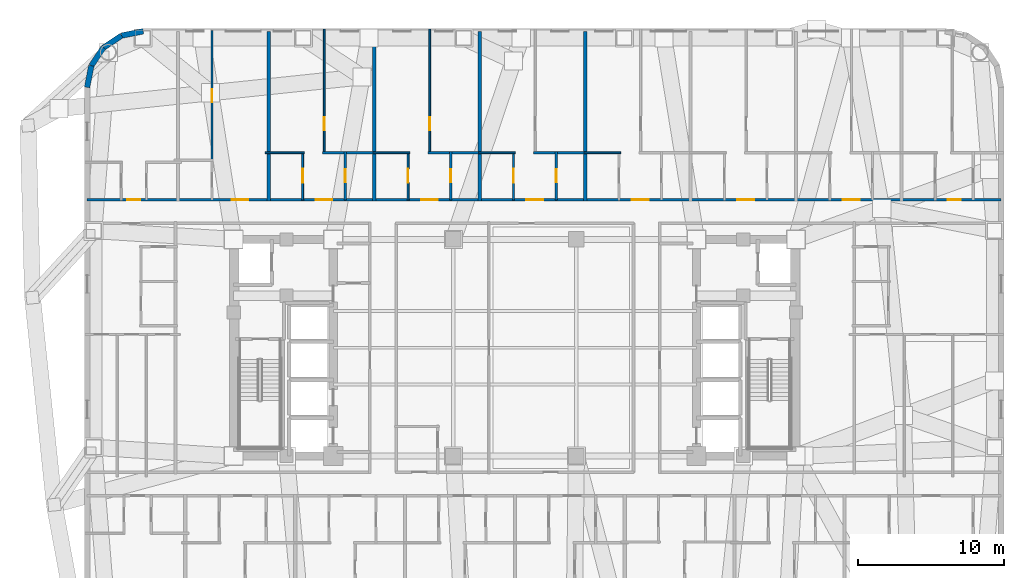
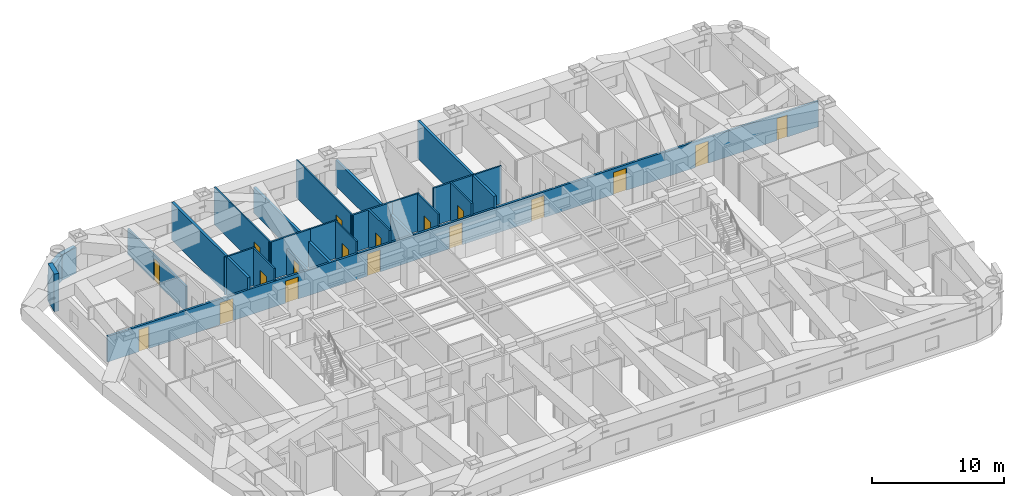
# One storey, part 9 of 14: 25 walls, 18 doors, 18 openings.
"""IFC4 building model written with IfcOpenShell, lengths in metres."""

from ifc_helpers import new_model, si_unit, direction, frame, frame_2d, origin, place, context, subcontext, project, spatial, rectangle, extrude, material, layer, layer_set, type_object, element, fill, save


model = new_model("IFC4")

# Units and contexts
model_context = context("Model", 3, precision=1e-05, world=origin(), true_north=direction((0.0, 1.0)))
body_context = subcontext(model_context, "Body", "Model", "MODEL_VIEW")
ifc_project = project(units=[si_unit("LENGTHUNIT", "METRE"), si_unit("AREAUNIT", "SQUARE_METRE"), si_unit("VOLUMEUNIT", "CUBIC_METRE"), si_unit("PLANEANGLEUNIT", "RADIAN"), si_unit("MASSUNIT", "GRAM", prefix="KILO")], contexts=[model_context])

# Site, building, storey
site_placement = place(None, origin())
site = spatial("IfcSite", under=ifc_project, at=site_placement, CompositionType="ELEMENT")
building_placement = place(site_placement, origin())
building = spatial("IfcBuilding", under=site, at=building_placement, Name="Voryun Gate Residences", CompositionType="ELEMENT")
storey_placement = place(building_placement, frame((0.0, 0.0, 136.5)))
storey = spatial("IfcBuildingStorey", under=building, at=storey_placement, Name="L33", CompositionType="ELEMENT", Elevation=136.5)

# Wall, openings, doors
ifc_material_1 = material(Name="Gypsum acoustic fireboard")
ifc_layer_1 = layer(ifc_material_1, 0.179931640625, Name="W_CORR_RATED_180")
ifc_layer_set_1 = layer_set([ifc_layer_1], Name="Gypsum acoustic fireboard")
wall_type_1 = type_object("IfcWallType", Name="W_CORR_RATED_180", PredefinedType="PARTITIONING", material=ifc_layer_set_1)
wall_1_placement = place(storey_placement, frame((-29.2099609375, 10.10009765625, 0.0), z_axis=(0.0, 0.0, 1.0), x_axis=(1.0, 0.0, 0.0)))
wall_1 = element("IfcWall", 1, at=wall_1_placement, inside=storey, type_object=wall_type_1, Name="Partition wall WP-L33-NCORR", PredefinedType="PARTITIONING", context=body_context, shape_type="SweptSolid", body=[
    extrude(rectangle(XDim=62.419921875, YDim=0.179931640625, at=frame_2d((31.2099609375, 0.0))), origin(), (0.0, 0.0, 1.0), 2.389892578125),
])
opening_1_placement = place(wall_1_placement, frame((2.73974609375, 0.0, 0.0)))
opening_1 = element("IfcOpeningElement", 2, at=opening_1_placement, cuts=wall_1, Name="Opening D-INT-2", PredefinedType="OPENING", context=body_context, shape_type="SweptSolid", body=[
    extrude(rectangle(XDim=0.89990234375, YDim=2.050048828125, at=frame_2d((0.449951171875, 1.02490234375))), frame((0.0, 0.099853515625, 0.0), z_axis=(0.0, -1.0, 0.0), x_axis=(1.0, 0.0, 0.0)), (0.0, 0.0, 1.0), 0.199951171875),
])
opening_2_placement = place(wall_1_placement, frame((9.867919921875, 0.0, 0.0)))
opening_2 = element("IfcOpeningElement", 3, at=opening_2_placement, cuts=wall_1, Name="Opening D-UNIT-1", PredefinedType="OPENING", context=body_context, shape_type="SweptSolid", body=[
    extrude(rectangle(XDim=1.14990234375, YDim=2.050048828125, at=frame_2d((0.574951171875, 1.02490234375))), frame((0.0, 0.099853515625, 0.0), z_axis=(0.0, -1.0, 0.0), x_axis=(1.0, 0.0, 0.0)), (0.0, 0.0, 1.0), 0.199951171875),
])
opening_3_placement = place(wall_1_placement, frame((15.597900390625, 0.0, 0.0)))
opening_3 = element("IfcOpeningElement", 4, at=opening_3_placement, cuts=wall_1, Name="Opening D-UNIT-1", PredefinedType="OPENING", context=body_context, shape_type="SweptSolid", body=[
    extrude(rectangle(XDim=1.14990234375, YDim=2.050048828125, at=frame_2d((0.574951171875, 1.02490234375))), frame((0.0, 0.099853515625, 0.0), z_axis=(0.0, -1.0, 0.0), x_axis=(1.0, 0.0, 0.0)), (0.0, 0.0, 1.0), 0.199951171875),
])
opening_4_placement = place(wall_1_placement, frame((22.80126953125, 0.0, 0.0)))
opening_4 = element("IfcOpeningElement", 5, at=opening_4_placement, cuts=wall_1, Name="Opening D-UNIT-1", PredefinedType="OPENING", context=body_context, shape_type="SweptSolid", body=[
    extrude(rectangle(XDim=1.14990234375, YDim=2.050048828125, at=frame_2d((0.574951171875, 1.02490234375))), frame((0.0, 0.099853515625, 0.0), z_axis=(0.0, -1.0, 0.0), x_axis=(1.0, 0.0, 0.0)), (0.0, 0.0, 1.0), 0.199951171875),
])
opening_5_placement = place(wall_1_placement, frame((29.998291015625, 0.0, 0.0)))
opening_5 = element("IfcOpeningElement", 6, at=opening_5_placement, cuts=wall_1, Name="Opening D-UNIT-1", PredefinedType="OPENING", context=body_context, shape_type="SweptSolid", body=[
    extrude(rectangle(XDim=1.14990234375, YDim=2.050048828125, at=frame_2d((0.574951171875, 1.02490234375))), frame((0.0, 0.099853515625, 0.0), z_axis=(0.0, -1.0, 0.0), x_axis=(1.0, 0.0, 0.0)), (0.0, 0.0, 1.0), 0.199951171875),
])
opening_6_placement = place(wall_1_placement, frame((37.20166015625, 0.0, 0.0)))
opening_6 = element("IfcOpeningElement", 7, at=opening_6_placement, cuts=wall_1, Name="Opening D-UNIT-1", PredefinedType="OPENING", context=body_context, shape_type="SweptSolid", body=[
    extrude(rectangle(XDim=1.14990234375, YDim=2.050048828125, at=frame_2d((0.574951171875, 1.02490234375))), frame((0.0, 0.099853515625, 0.0), z_axis=(0.0, -1.0, 0.0), x_axis=(1.0, 0.0, 0.0)), (0.0, 0.0, 1.0), 0.199951171875),
])
opening_7_placement = place(wall_1_placement, frame((44.398681640625, 0.0, 0.0)))
opening_7 = element("IfcOpeningElement", 8, at=opening_7_placement, cuts=wall_1, Name="Opening D-UNIT-1", PredefinedType="OPENING", context=body_context, shape_type="SweptSolid", body=[
    extrude(rectangle(XDim=1.14990234375, YDim=2.050048828125, at=frame_2d((0.574951171875, 1.02490234375))), frame((0.0, 0.099853515625, 0.0), z_axis=(0.0, -1.0, 0.0), x_axis=(1.0, 0.0, 0.0)), (0.0, 0.0, 1.0), 0.199951171875),
])
opening_8_placement = place(wall_1_placement, frame((51.601806640625, 0.0, 0.0)))
opening_8 = element("IfcOpeningElement", 9, at=opening_8_placement, cuts=wall_1, Name="Opening D-UNIT-1", PredefinedType="OPENING", context=body_context, shape_type="SweptSolid", body=[
    extrude(rectangle(XDim=1.14990234375, YDim=2.050048828125, at=frame_2d((0.574951171875, 1.02490234375))), frame((0.0, 0.099853515625, 0.0), z_axis=(0.0, -1.0, 0.0), x_axis=(1.0, 0.0, 0.0)), (0.0, 0.0, 1.0), 0.199951171875),
])
opening_9_placement = place(wall_1_placement, frame((58.76171875, 0.0, 0.0)))
opening_9 = element("IfcOpeningElement", 10, at=opening_9_placement, cuts=wall_1, Name="Opening D-INT-2", PredefinedType="OPENING", context=body_context, shape_type="SweptSolid", body=[
    extrude(rectangle(XDim=0.89990234375, YDim=2.050048828125, at=frame_2d((0.449951171875, 1.02490234375))), frame((0.0, 0.099853515625, 0.0), z_axis=(0.0, -1.0, 0.0), x_axis=(1.0, 0.0, 0.0)), (0.0, 0.0, 1.0), 0.199951171875),
])
ifc_material_2 = material(Name="Architectural oak veneer")
door_type_1 = type_object("IfcDoorType", Name="DR_INT_BATH_900", OperationType="NOTDEFINED", PredefinedType="DOOR", material=ifc_material_2)
door_1_placement = place(opening_1_placement, origin())
door_1 = element("IfcDoor", 11, at=door_1_placement, inside=storey, type_object=door_type_1, Name="Door DR-L33-NENT-1", OperationType="SINGLE_SWING_LEFT", OverallHeight=2.050048828125, OverallWidth=0.89990234375, PredefinedType="DOOR", context=body_context, shape_type="SweptSolid", body=[
    extrude(rectangle(XDim=0.89990234375, YDim=2.050048828125, at=frame_2d((0.449951171875, 1.02490234375))), frame((0.0, 0.02490234375, 0.0), z_axis=(0.0, -1.0, 0.0), x_axis=(1.0, 0.0, 0.0)), (0.0, 0.0, 1.0), 0.050048828125),
])
fill(opening_1, door_1)
door_2_placement = place(opening_9_placement, origin())
door_2 = element("IfcDoor", 12, at=door_2_placement, inside=storey, type_object=door_type_1, Name="Door DR-L33-NENT-9", OperationType="SINGLE_SWING_LEFT", OverallHeight=2.050048828125, OverallWidth=0.89990234375, PredefinedType="DOOR", context=body_context, shape_type="SweptSolid", body=[
    extrude(rectangle(XDim=0.89990234375, YDim=2.050048828125, at=frame_2d((0.449951171875, 1.02490234375))), frame((0.0, 0.02490234375, 0.0), z_axis=(0.0, -1.0, 0.0), x_axis=(1.0, 0.0, 0.0)), (0.0, 0.0, 1.0), 0.050048828125),
])
fill(opening_9, door_2)
ifc_material_3 = material(Name="Armoured timber-clad fire door", Category="wood")
door_type_2 = type_object("IfcDoorType", Name="DR_UNIT_ENTRY_1150", OperationType="NOTDEFINED", PredefinedType="DOOR", material=ifc_material_3)
door_3_placement = place(opening_2_placement, origin())
door_3 = element("IfcDoor", 13, at=door_3_placement, inside=storey, type_object=door_type_2, Name="Door DR-L33-NENT-2", OperationType="SINGLE_SWING_RIGHT", OverallHeight=2.050048828125, OverallWidth=1.14990234375, PredefinedType="DOOR", context=body_context, shape_type="SweptSolid", body=[
    extrude(rectangle(XDim=1.14990234375, YDim=2.050048828125, at=frame_2d((0.574951171875, 1.02490234375))), frame((0.0, 0.02490234375, 0.0), z_axis=(0.0, -1.0, 0.0), x_axis=(1.0, 0.0, 0.0)), (0.0, 0.0, 1.0), 0.050048828125),
])
fill(opening_2, door_3)
door_4_placement = place(opening_3_placement, origin())
door_4 = element("IfcDoor", 14, at=door_4_placement, inside=storey, type_object=door_type_2, Name="Door DR-L33-NENT-3", OperationType="SINGLE_SWING_LEFT", OverallHeight=2.050048828125, OverallWidth=1.14990234375, PredefinedType="DOOR", context=body_context, shape_type="SweptSolid", body=[
    extrude(rectangle(XDim=1.14990234375, YDim=2.050048828125, at=frame_2d((0.574951171875, 1.02490234375))), frame((0.0, 0.02490234375, 0.0), z_axis=(0.0, -1.0, 0.0), x_axis=(1.0, 0.0, 0.0)), (0.0, 0.0, 1.0), 0.050048828125),
])
fill(opening_3, door_4)
door_5_placement = place(opening_4_placement, origin())
door_5 = element("IfcDoor", 15, at=door_5_placement, inside=storey, type_object=door_type_2, Name="Door DR-L33-NENT-4", OperationType="SINGLE_SWING_RIGHT", OverallHeight=2.050048828125, OverallWidth=1.14990234375, PredefinedType="DOOR", context=body_context, shape_type="SweptSolid", body=[
    extrude(rectangle(XDim=1.14990234375, YDim=2.050048828125, at=frame_2d((0.574951171875, 1.02490234375))), frame((0.0, 0.02490234375, 0.0), z_axis=(0.0, -1.0, 0.0), x_axis=(1.0, 0.0, 0.0)), (0.0, 0.0, 1.0), 0.050048828125),
])
fill(opening_4, door_5)
door_6_placement = place(opening_5_placement, origin())
door_6 = element("IfcDoor", 16, at=door_6_placement, inside=storey, type_object=door_type_2, Name="Door DR-L33-NENT-5", OperationType="SINGLE_SWING_LEFT", OverallHeight=2.050048828125, OverallWidth=1.14990234375, PredefinedType="DOOR", context=body_context, shape_type="SweptSolid", body=[
    extrude(rectangle(XDim=1.14990234375, YDim=2.050048828125, at=frame_2d((0.574951171875, 1.02490234375))), frame((0.0, 0.02490234375, 0.0), z_axis=(0.0, -1.0, 0.0), x_axis=(1.0, 0.0, 0.0)), (0.0, 0.0, 1.0), 0.050048828125),
])
fill(opening_5, door_6)
door_7_placement = place(opening_6_placement, origin())
door_7 = element("IfcDoor", 17, at=door_7_placement, inside=storey, type_object=door_type_2, Name="Door DR-L33-NENT-6", OperationType="SINGLE_SWING_RIGHT", OverallHeight=2.050048828125, OverallWidth=1.14990234375, PredefinedType="DOOR", context=body_context, shape_type="SweptSolid", body=[
    extrude(rectangle(XDim=1.14990234375, YDim=2.050048828125, at=frame_2d((0.574951171875, 1.02490234375))), frame((0.0, 0.02490234375, 0.0), z_axis=(0.0, -1.0, 0.0), x_axis=(1.0, 0.0, 0.0)), (0.0, 0.0, 1.0), 0.050048828125),
])
fill(opening_6, door_7)
door_8_placement = place(opening_7_placement, origin())
door_8 = element("IfcDoor", 18, at=door_8_placement, inside=storey, type_object=door_type_2, Name="Door DR-L33-NENT-7", OperationType="SINGLE_SWING_LEFT", OverallHeight=2.050048828125, OverallWidth=1.14990234375, PredefinedType="DOOR", context=body_context, shape_type="SweptSolid", body=[
    extrude(rectangle(XDim=1.14990234375, YDim=2.050048828125, at=frame_2d((0.574951171875, 1.02490234375))), frame((0.0, 0.02490234375, 0.0), z_axis=(0.0, -1.0, 0.0), x_axis=(1.0, 0.0, 0.0)), (0.0, 0.0, 1.0), 0.050048828125),
])
fill(opening_7, door_8)
door_9_placement = place(opening_8_placement, origin())
door_9 = element("IfcDoor", 19, at=door_9_placement, inside=storey, type_object=door_type_2, Name="Door DR-L33-NENT-8", OperationType="SINGLE_SWING_RIGHT", OverallHeight=2.050048828125, OverallWidth=1.14990234375, PredefinedType="DOOR", context=body_context, shape_type="SweptSolid", body=[
    extrude(rectangle(XDim=1.14990234375, YDim=2.050048828125, at=frame_2d((0.574951171875, 1.02490234375))), frame((0.0, 0.02490234375, 0.0), z_axis=(0.0, -1.0, 0.0), x_axis=(1.0, 0.0, 0.0)), (0.0, 0.0, 1.0), 0.050048828125),
])
fill(opening_8, door_9)

# Walls
ifc_material_4 = material(Name="Granite masonry", Category="masonry")
ifc_layer_2 = layer(ifc_material_4, 0.3798828125, Name="W_EXT_GRANITE_380")
ifc_layer_set_2 = layer_set([ifc_layer_2], Name="Granite masonry")
wall_type_2 = type_object("IfcWallType", Name="W_EXT_GRANITE_380", PredefinedType="ELEMENTEDWALL", material=ifc_layer_set_2)
wall_2_placement = place(storey_placement, frame((-29.2099609375, 17.78125, 0.0), z_axis=(0.0, 0.0, 1.0), x_axis=(0.195086038585, 0.980786132421, 0.0)))
element("IfcWall", 20, at=wall_2_placement, inside=storey, type_object=wall_type_2, Name="Exterior wall WEXT-L33-07", PredefinedType="ELEMENTEDWALL", context=body_context, shape_type="SweptSolid", body=[
    extrude(rectangle(XDim=1.504150390625, YDim=0.3798828125, at=frame_2d((0.751953125, 0.0))), origin(), (0.0, 0.0, 1.0), 3.5),
])
wall_3_placement = place(storey_placement, frame((-28.91650390625, 19.256591796875, 0.0), z_axis=(0.0, 0.0, 1.0), x_axis=(0.555610286119, 0.831442848281, 0.0)))
element("IfcWall", 21, at=wall_3_placement, inside=storey, type_object=wall_type_2, Name="Exterior wall WEXT-L33-08", PredefinedType="ELEMENTEDWALL", context=body_context, shape_type="SweptSolid", body=[
    extrude(rectangle(XDim=1.485107421875, YDim=0.3798828125, at=frame_2d((0.74267578125, 0.0))), origin(), (0.0, 0.0, 1.0), 2.389892578125),
])
wall_4_placement = place(storey_placement, frame((-28.09130859375, 20.491455078125, 0.0), z_axis=(0.0, 0.0, 1.0), x_axis=(0.831468045563, 0.555572577804, 0.0)))
element("IfcWall", 22, at=wall_4_placement, inside=storey, type_object=wall_type_2, Name="Exterior wall WEXT-L33-09", PredefinedType="ELEMENTEDWALL", context=body_context, shape_type="SweptSolid", body=[
    extrude(rectangle(XDim=1.48486328125, YDim=0.3798828125, at=frame_2d((0.742431640625, 0.0))), origin(), (0.0, 0.0, 1.0), 2.389892578125),
])
wall_5_placement = place(storey_placement, frame((-26.856689453125, 21.31640625, 0.0), z_axis=(0.0, 0.0, 1.0), x_axis=(0.980755066645, 0.195242155415, 0.0)))
element("IfcWall", 23, at=wall_5_placement, inside=storey, type_object=wall_type_2, Name="Exterior wall WEXT-L33-10", PredefinedType="ELEMENTEDWALL", context=body_context, shape_type="SweptSolid", body=[
    extrude(rectangle(XDim=1.50439453125, YDim=0.3798828125, at=frame_2d((0.752197265625, 0.0))), origin(), (0.0, 0.0, 1.0), 2.389892578125),
])
ifc_material_5 = material(Name="Concrete C40/50", Category="concrete")
ifc_layer_3 = layer(ifc_material_5, 0.219970703125, Name="W_PARTY_ACOUSTIC_220")
ifc_layer_set_3 = layer_set([ifc_layer_3], Name="Concrete C40/50")
wall_type_3 = type_object("IfcWallType", Name="W_PARTY_ACOUSTIC_220", PredefinedType="PARTITIONING", material=ifc_layer_set_3)
wall_6_placement = place(storey_placement, frame((-16.800048828125, 10.02001953125, 0.0), z_axis=(0.0, 0.0, 1.0), x_axis=(0.0, 1.0, 0.0)))
element("IfcWall", 24, at=wall_6_placement, inside=storey, type_object=wall_type_3, Name="Partition wall WP-L33-NPTY-2", PredefinedType="PARTITIONING", context=body_context, shape_type="SweptSolid", body=[
    extrude(rectangle(XDim=11.590087890625, YDim=0.219970703125, at=frame_2d((5.794921875, 0.0))), origin(), (0.0, 0.0, 1.0), 3.5),
])
for number, where, z_axis, x_axis, name in (
    (25, (-9.60009765625, 10.02001953125, 0.0), (0.0, 0.0, 1.0), (0.0, 1.0, 0.0), "Partition wall WP-L33-NPTY-3"),
    (26, (-2.39990234375, 10.02001953125, 0.0), (0.0, 0.0, 1.0), (0.0, 1.0, 0.0), "Partition wall WP-L33-NPTY-4"),
):
    element("IfcWall", number, at=place(storey_placement, frame(where, z_axis=z_axis, x_axis=x_axis)), inside=storey, type_object=wall_type_3, Name=name, PredefinedType="PARTITIONING", context=body_context, shape_type="SweptSolid", body=[
        extrude(rectangle(XDim=11.590087890625, YDim=0.219970703125, at=frame_2d((5.794921875, 0.0))), origin(), (0.0, 0.0, 1.0), 2.389892578125),
    ])
wall_7_placement = place(storey_placement, frame((4.800048828125, 10.02001953125, 0.0), z_axis=(0.0, 0.0, 1.0), x_axis=(0.0, 1.0, 0.0)))
element("IfcWall", 27, at=wall_7_placement, inside=storey, type_object=wall_type_3, Name="Partition wall WP-L33-NPTY-5", PredefinedType="PARTITIONING", context=body_context, shape_type="SweptSolid", body=[
    extrude(rectangle(XDim=11.590087890625, YDim=0.219970703125, at=frame_2d((5.794921875, 0.0))), origin(), (0.0, 0.0, 1.0), 3.5),
])

# Wall, opening, door
ifc_material_6 = material(Name="Gypsum acoustic partition")
ifc_layer_4 = layer(ifc_material_6, 0.125, Name="W_UNIT_PART_125")
ifc_layer_set_4 = layer_set([ifc_layer_4], Name="Gypsum acoustic partition")
wall_type_4 = type_object("IfcWallType", Name="W_UNIT_PART_125", PredefinedType="PARTITIONING", material=ifc_layer_set_4)
wall_8_placement = place(storey_placement, frame((-13.010009765625, 13.239990234375, 0.0), z_axis=(0.0, 0.0, 1.0), x_axis=(0.0, 1.0, 0.0)))
wall_8 = element("IfcWall", 28, at=wall_8_placement, inside=storey, type_object=wall_type_4, Name="Partition wall WP-L33-N3-OVR", PredefinedType="PARTITIONING", context=body_context, shape_type="SweptSolid", body=[
    extrude(rectangle(XDim=8.52001953125, YDim=0.125, at=frame_2d((4.260009765625, 0.0))), origin(), (0.0, 0.0, 1.0), 3.5),
])
opening_10_placement = place(wall_8_placement, frame((1.5947265625, 0.0, 0.0)))
opening_10 = element("IfcOpeningElement", 29, at=opening_10_placement, cuts=wall_8, Name="Opening D-INT-2", PredefinedType="OPENING", context=body_context, shape_type="SweptSolid", body=[
    extrude(rectangle(XDim=0.89990234375, YDim=2.050048828125, at=frame_2d((0.449951171875, 1.02490234375))), frame((0.0, 0.072509765625, 0.0), z_axis=(0.0, -1.0, 0.0), x_axis=(1.0, 0.0, 0.0)), (0.0, 0.0, 1.0), 0.14501953125),
])
door_10_placement = place(opening_10_placement, origin())
door_10 = element("IfcDoor", 30, at=door_10_placement, inside=storey, type_object=door_type_1, Name="Door DR-L33-N3-DMB", OperationType="SINGLE_SWING_RIGHT", OverallHeight=2.050048828125, OverallWidth=0.89990234375, PredefinedType="DOOR", context=body_context, shape_type="SweptSolid", body=[
    extrude(rectangle(XDim=0.89990234375, YDim=2.050048828125, at=frame_2d((0.449951171875, 1.02490234375))), frame((0.0, 0.02490234375, 0.0), z_axis=(0.0, -1.0, 0.0), x_axis=(1.0, 0.0, 0.0)), (0.0, 0.0, 1.0), 0.050048828125),
])
fill(opening_10, door_10)

wall_9_placement = place(storey_placement, frame((-14.489990234375, 10.080078125, 0.0), z_axis=(0.0, 0.0, 1.0), x_axis=(0.0, 1.0, 0.0)))
wall_9 = element("IfcWall", 31, at=wall_9_placement, inside=storey, type_object=wall_type_4, Name="Partition wall WP-L33-N3-IVK", PredefinedType="PARTITIONING", context=body_context, shape_type="SweptSolid", body=[
    extrude(rectangle(XDim=3.31982421875, YDim=0.125, at=frame_2d((1.659912109375, 0.0))), origin(), (0.0, 0.0, 1.0), 3.5),
])
opening_11_placement = place(wall_9_placement, frame((1.18505859375, 0.0, 0.0)))
opening_11 = element("IfcOpeningElement", 32, at=opening_11_placement, cuts=wall_9, Name="Opening D-INT-1", PredefinedType="OPENING", context=body_context, shape_type="SweptSolid", body=[
    extrude(rectangle(XDim=0.949951171875, YDim=2.050048828125, at=frame_2d((0.47509765625, 1.02490234375))), frame((0.0, 0.072509765625, 0.0), z_axis=(0.0, -1.0, 0.0), x_axis=(1.0, 0.0, 0.0)), (0.0, 0.0, 1.0), 0.14501953125),
])
ifc_material_7 = material(Name="Architectural oak veneer")
door_type_3 = type_object("IfcDoorType", Name="DR_INT_ROOM_950", OperationType="NOTDEFINED", PredefinedType="DOOR", material=ifc_material_7)
door_11_placement = place(opening_11_placement, origin())
door_11 = element("IfcDoor", 33, at=door_11_placement, inside=storey, type_object=door_type_3, Name="Door DR-L33-N3-DK", OperationType="SINGLE_SWING_LEFT", OverallHeight=2.050048828125, OverallWidth=0.949951171875, PredefinedType="DOOR", context=body_context, shape_type="SweptSolid", body=[
    extrude(rectangle(XDim=0.949951171875, YDim=2.050048828125, at=frame_2d((0.47509765625, 1.02490234375))), frame((0.0, 0.02490234375, 0.0), z_axis=(0.0, -1.0, 0.0), x_axis=(1.0, 0.0, 0.0)), (0.0, 0.0, 1.0), 0.050048828125),
])
fill(opening_11, door_11)

# Wall
wall_10_placement = place(storey_placement, frame((-17.06005859375, 13.320068359375, 0.0), z_axis=(0.0, 0.0, 1.0), x_axis=(1.0, 0.0, 0.0)))
element("IfcWall", 34, at=wall_10_placement, inside=storey, type_object=wall_type_4, Name="Partition wall WP-L33-N3-HZK", PredefinedType="PARTITIONING", context=body_context, shape_type="SweptSolid", body=[
    extrude(rectangle(XDim=2.68994140625, YDim=0.125, at=frame_2d((1.344970703125, 0.0))), origin(), (0.0, 0.0, 1.0), 3.5),
])

# Wall, opening, door
wall_11_placement = place(storey_placement, frame((-5.81005859375, 13.239990234375, 0.0), z_axis=(0.0, 0.0, 1.0), x_axis=(0.0, 1.0, 0.0)))
wall_11 = element("IfcWall", 35, at=wall_11_placement, inside=storey, type_object=wall_type_4, Name="Partition wall WP-L33-N4-OVR", PredefinedType="PARTITIONING", context=body_context, shape_type="SweptSolid", body=[
    extrude(rectangle(XDim=8.52001953125, YDim=0.125, at=frame_2d((4.260009765625, 0.0))), origin(), (0.0, 0.0, 1.0), 3.5),
])
opening_12_placement = place(wall_11_placement, frame((1.5947265625, 0.0, 0.0)))
opening_12 = element("IfcOpeningElement", 36, at=opening_12_placement, cuts=wall_11, Name="Opening D-INT-2", PredefinedType="OPENING", context=body_context, shape_type="SweptSolid", body=[
    extrude(rectangle(XDim=0.89990234375, YDim=2.050048828125, at=frame_2d((0.449951171875, 1.02490234375))), frame((0.0, 0.072509765625, 0.0), z_axis=(0.0, -1.0, 0.0), x_axis=(1.0, 0.0, 0.0)), (0.0, 0.0, 1.0), 0.14501953125),
])
door_12_placement = place(opening_12_placement, origin())
door_12 = element("IfcDoor", 37, at=door_12_placement, inside=storey, type_object=door_type_1, Name="Door DR-L33-N4-DMB", OperationType="SINGLE_SWING_RIGHT", OverallHeight=2.050048828125, OverallWidth=0.89990234375, PredefinedType="DOOR", context=body_context, shape_type="SweptSolid", body=[
    extrude(rectangle(XDim=0.89990234375, YDim=2.050048828125, at=frame_2d((0.449951171875, 1.02490234375))), frame((0.0, 0.02490234375, 0.0), z_axis=(0.0, -1.0, 0.0), x_axis=(1.0, 0.0, 0.0)), (0.0, 0.0, 1.0), 0.050048828125),
])
fill(opening_12, door_12)

wall_12_placement = place(storey_placement, frame((-7.2900390625, 10.080078125, 0.0), z_axis=(0.0, 0.0, 1.0), x_axis=(0.0, 1.0, 0.0)))
wall_12 = element("IfcWall", 38, at=wall_12_placement, inside=storey, type_object=wall_type_4, Name="Partition wall WP-L33-N4-IVK", PredefinedType="PARTITIONING", context=body_context, shape_type="SweptSolid", body=[
    extrude(rectangle(XDim=3.31982421875, YDim=0.125, at=frame_2d((1.659912109375, 0.0))), origin(), (0.0, 0.0, 1.0), 3.5),
])
opening_13_placement = place(wall_12_placement, frame((1.18505859375, 0.0, 0.0)))
opening_13 = element("IfcOpeningElement", 39, at=opening_13_placement, cuts=wall_12, Name="Opening D-INT-1", PredefinedType="OPENING", context=body_context, shape_type="SweptSolid", body=[
    extrude(rectangle(XDim=0.949951171875, YDim=2.050048828125, at=frame_2d((0.47509765625, 1.02490234375))), frame((0.0, 0.072509765625, 0.0), z_axis=(0.0, -1.0, 0.0), x_axis=(1.0, 0.0, 0.0)), (0.0, 0.0, 1.0), 0.14501953125),
])
door_13_placement = place(opening_13_placement, origin())
door_13 = element("IfcDoor", 40, at=door_13_placement, inside=storey, type_object=door_type_3, Name="Door DR-L33-N4-DK", OperationType="SINGLE_SWING_LEFT", OverallHeight=2.050048828125, OverallWidth=0.949951171875, PredefinedType="DOOR", context=body_context, shape_type="SweptSolid", body=[
    extrude(rectangle(XDim=0.949951171875, YDim=2.050048828125, at=frame_2d((0.47509765625, 1.02490234375))), frame((0.0, 0.02490234375, 0.0), z_axis=(0.0, -1.0, 0.0), x_axis=(1.0, 0.0, 0.0)), (0.0, 0.0, 1.0), 0.050048828125),
])
fill(opening_13, door_13)

# Wall
wall_13_placement = place(storey_placement, frame((-9.675048828125, 13.320068359375, 0.0), z_axis=(0.0, 0.0, 1.0), x_axis=(1.0, 0.0, 0.0)))
element("IfcWall", 41, at=wall_13_placement, inside=storey, type_object=wall_type_4, Name="Partition wall WP-L33-N4-HZK", PredefinedType="PARTITIONING", context=body_context, shape_type="SweptSolid", body=[
    extrude(rectangle(XDim=2.505126953125, YDim=0.125, at=frame_2d((1.25244140625, 0.0))), origin(), (0.0, 0.0, 1.0), 3.5),
])

# Wall, opening, door
wall_14_placement = place(storey_placement, frame((-0.090087890625, 10.080078125, 0.0), z_axis=(0.0, 0.0, 1.0), x_axis=(0.0, 1.0, 0.0)))
wall_14 = element("IfcWall", 42, at=wall_14_placement, inside=storey, type_object=wall_type_4, Name="Partition wall WP-L33-N5-IVK", PredefinedType="PARTITIONING", context=body_context, shape_type="SweptSolid", body=[
    extrude(rectangle(XDim=3.31982421875, YDim=0.125, at=frame_2d((1.659912109375, 0.0))), origin(), (0.0, 0.0, 1.0), 3.5),
])
opening_14_placement = place(wall_14_placement, frame((1.18505859375, 0.0, 0.0)))
opening_14 = element("IfcOpeningElement", 43, at=opening_14_placement, cuts=wall_14, Name="Opening D-INT-1", PredefinedType="OPENING", context=body_context, shape_type="SweptSolid", body=[
    extrude(rectangle(XDim=0.949951171875, YDim=2.050048828125, at=frame_2d((0.47509765625, 1.02490234375))), frame((0.0, 0.072509765625, 0.0), z_axis=(0.0, -1.0, 0.0), x_axis=(1.0, 0.0, 0.0)), (0.0, 0.0, 1.0), 0.14501953125),
])
door_14_placement = place(opening_14_placement, origin())
door_14 = element("IfcDoor", 44, at=door_14_placement, inside=storey, type_object=door_type_3, Name="Door DR-L33-N5-DK", OperationType="SINGLE_SWING_LEFT", OverallHeight=2.050048828125, OverallWidth=0.949951171875, PredefinedType="DOOR", context=body_context, shape_type="SweptSolid", body=[
    extrude(rectangle(XDim=0.949951171875, YDim=2.050048828125, at=frame_2d((0.47509765625, 1.02490234375))), frame((0.0, 0.02490234375, 0.0), z_axis=(0.0, -1.0, 0.0), x_axis=(1.0, 0.0, 0.0)), (0.0, 0.0, 1.0), 0.050048828125),
])
fill(opening_14, door_14)

# Walls
wall_15_placement = place(storey_placement, frame((-2.47509765625, 13.320068359375, 0.0), z_axis=(0.0, 0.0, 1.0), x_axis=(1.0, 0.0, 0.0)))
element("IfcWall", 45, at=wall_15_placement, inside=storey, type_object=wall_type_4, Name="Partition wall WP-L33-N5-HZK", PredefinedType="PARTITIONING", context=body_context, shape_type="SweptSolid", body=[
    extrude(rectangle(XDim=2.505126953125, YDim=0.125, at=frame_2d((1.25244140625, 0.0))), origin(), (0.0, 0.0, 1.0), 3.5),
])
wall_16_placement = place(storey_placement, frame((4.72509765625, 13.320068359375, 0.0), z_axis=(0.0, 0.0, 1.0), x_axis=(1.0, 0.0, 0.0)))
element("IfcWall", 46, at=wall_16_placement, inside=storey, type_object=wall_type_4, Name="Partition wall WP-L33-N6-HZK", PredefinedType="PARTITIONING", context=body_context, shape_type="SweptSolid", body=[
    extrude(rectangle(XDim=2.5048828125, YDim=0.125, at=frame_2d((1.25244140625, 0.0))), origin(), (0.0, 0.0, 1.0), 3.5),
])

# Wall, opening, door
ifc_material_8 = material(Name="Gypsum moisture-resistant partition")
ifc_layer_5 = layer(ifc_material_8, 0.14990234375, Name="W_WET_PLUMB_150")
ifc_layer_set_5 = layer_set([ifc_layer_5], Name="Gypsum moisture-resistant partition")
wall_type_5 = type_object("IfcWallType", Name="W_WET_PLUMB_150", PredefinedType="PLUMBINGWALL", material=ifc_layer_set_5)
wall_17_placement = place(storey_placement, frame((-20.677978515625, 12.760009765625, 0.0), z_axis=(0.0, 0.0, 1.0), x_axis=(0.0, 1.0, 0.0)))
wall_17 = element("IfcWall", 47, at=wall_17_placement, inside=storey, type_object=wall_type_5, Name="Partition wall WP-L33-N2-SVT2", PredefinedType="PLUMBINGWALL", context=body_context, shape_type="SweptSolid", body=[
    extrude(rectangle(XDim=8.897705078125, YDim=0.14990234375, at=frame_2d((4.44873046875, 0.0))), origin(), (0.0, 0.0, 1.0), 2.389892578125),
])
opening_15_placement = place(wall_17_placement, frame((3.998779296875, 0.0, 0.0)))
opening_15 = element("IfcOpeningElement", 48, at=opening_15_placement, cuts=wall_17, Name="Opening D-INT-2", PredefinedType="OPENING", context=body_context, shape_type="SweptSolid", body=[
    extrude(rectangle(XDim=0.89990234375, YDim=2.050048828125, at=frame_2d((0.449951171875, 1.02490234375))), frame((0.0, 0.0849609375, 0.0), z_axis=(0.0, -1.0, 0.0), x_axis=(1.0, 0.0, 0.0)), (0.0, 0.0, 1.0), 0.169921875),
])
door_15_placement = place(opening_15_placement, origin())
door_15 = element("IfcDoor", 49, at=door_15_placement, inside=storey, type_object=door_type_1, Name="Door DR-L33-N2-DK", OperationType="SINGLE_SWING_RIGHT", OverallHeight=2.050048828125, OverallWidth=0.89990234375, PredefinedType="DOOR", context=body_context, shape_type="SweptSolid", body=[
    extrude(rectangle(XDim=0.89990234375, YDim=2.050048828125, at=frame_2d((0.449951171875, 1.02490234375))), frame((0.0, 0.02490234375, 0.0), z_axis=(0.0, -1.0, 0.0), x_axis=(1.0, 0.0, 0.0)), (0.0, 0.0, 1.0), 0.050048828125),
])
fill(opening_15, door_15)

# Wall
wall_18_placement = place(storey_placement, frame((-13.1298828125, 13.320068359375, 0.0), z_axis=(0.0, 0.0, 1.0), x_axis=(1.0, 0.0, 0.0)))
element("IfcWall", 50, at=wall_18_placement, inside=storey, type_object=wall_type_5, Name="Partition wall WP-L33-N3-HZB", PredefinedType="PLUMBINGWALL", context=body_context, shape_type="SweptSolid", body=[
    extrude(rectangle(XDim=3.60498046875, YDim=0.14990234375, at=frame_2d((1.802490234375, 0.0))), origin(), (0.0, 0.0, 1.0), 3.5),
])

# Wall, opening, door
wall_19_placement = place(storey_placement, frame((-11.580078125, 10.080078125, 0.0), z_axis=(0.0, 0.0, 1.0), x_axis=(0.0, 1.0, 0.0)))
wall_19 = element("IfcWall", 51, at=wall_19_placement, inside=storey, type_object=wall_type_5, Name="Partition wall WP-L33-N3-IVB", PredefinedType="PLUMBINGWALL", context=body_context, shape_type="SweptSolid", body=[
    extrude(rectangle(XDim=3.31982421875, YDim=0.14990234375, at=frame_2d((1.659912109375, 0.0))), origin(), (0.0, 0.0, 1.0), 2.389892578125),
])
opening_16_placement = place(wall_19_placement, frame((1.2099609375, 0.0, 0.0)))
opening_16 = element("IfcOpeningElement", 52, at=opening_16_placement, cuts=wall_19, Name="Opening D-INT-2", PredefinedType="OPENING", context=body_context, shape_type="SweptSolid", body=[
    extrude(rectangle(XDim=0.89990234375, YDim=2.050048828125, at=frame_2d((0.449951171875, 1.02490234375))), frame((0.0, 0.0849609375, 0.0), z_axis=(0.0, -1.0, 0.0), x_axis=(1.0, 0.0, 0.0)), (0.0, 0.0, 1.0), 0.169921875),
])
door_16_placement = place(opening_16_placement, origin())
door_16 = element("IfcDoor", 53, at=door_16_placement, inside=storey, type_object=door_type_1, Name="Door DR-L33-N3-DB", OperationType="SINGLE_SWING_RIGHT", OverallHeight=2.050048828125, OverallWidth=0.89990234375, PredefinedType="DOOR", context=body_context, shape_type="SweptSolid", body=[
    extrude(rectangle(XDim=0.89990234375, YDim=2.050048828125, at=frame_2d((0.449951171875, 1.02490234375))), frame((0.0, 0.02490234375, 0.0), z_axis=(0.0, -1.0, 0.0), x_axis=(1.0, 0.0, 0.0)), (0.0, 0.0, 1.0), 0.050048828125),
])
fill(opening_16, door_16)

# Wall
wall_20_placement = place(storey_placement, frame((-5.929931640625, 13.320068359375, 0.0), z_axis=(0.0, 0.0, 1.0), x_axis=(1.0, 0.0, 0.0)))
element("IfcWall", 54, at=wall_20_placement, inside=storey, type_object=wall_type_5, Name="Partition wall WP-L33-N4-HZB", PredefinedType="PLUMBINGWALL", context=body_context, shape_type="SweptSolid", body=[
    extrude(rectangle(XDim=3.60498046875, YDim=0.14990234375, at=frame_2d((1.802490234375, 0.0))), origin(), (0.0, 0.0, 1.0), 3.5),
])

# Wall, opening, door
wall_21_placement = place(storey_placement, frame((-4.3798828125, 10.080078125, 0.0), z_axis=(0.0, 0.0, 1.0), x_axis=(0.0, 1.0, 0.0)))
wall_21 = element("IfcWall", 55, at=wall_21_placement, inside=storey, type_object=wall_type_5, Name="Partition wall WP-L33-N4-IVB", PredefinedType="PLUMBINGWALL", context=body_context, shape_type="SweptSolid", body=[
    extrude(rectangle(XDim=3.31982421875, YDim=0.14990234375, at=frame_2d((1.659912109375, 0.0))), origin(), (0.0, 0.0, 1.0), 3.5),
])
opening_17_placement = place(wall_21_placement, frame((1.2099609375, 0.0, 0.0)))
opening_17 = element("IfcOpeningElement", 56, at=opening_17_placement, cuts=wall_21, Name="Opening D-INT-2", PredefinedType="OPENING", context=body_context, shape_type="SweptSolid", body=[
    extrude(rectangle(XDim=0.89990234375, YDim=2.050048828125, at=frame_2d((0.449951171875, 1.02490234375))), frame((0.0, 0.0849609375, 0.0), z_axis=(0.0, -1.0, 0.0), x_axis=(1.0, 0.0, 0.0)), (0.0, 0.0, 1.0), 0.169921875),
])
door_17_placement = place(opening_17_placement, origin())
door_17 = element("IfcDoor", 57, at=door_17_placement, inside=storey, type_object=door_type_1, Name="Door DR-L33-N4-DB", OperationType="SINGLE_SWING_RIGHT", OverallHeight=2.050048828125, OverallWidth=0.89990234375, PredefinedType="DOOR", context=body_context, shape_type="SweptSolid", body=[
    extrude(rectangle(XDim=0.89990234375, YDim=2.050048828125, at=frame_2d((0.449951171875, 1.02490234375))), frame((0.0, 0.02490234375, 0.0), z_axis=(0.0, -1.0, 0.0), x_axis=(1.0, 0.0, 0.0)), (0.0, 0.0, 1.0), 0.050048828125),
])
fill(opening_17, door_17)

# Wall
wall_22_placement = place(storey_placement, frame((1.27001953125, 13.320068359375, 0.0), z_axis=(0.0, 0.0, 1.0), x_axis=(1.0, 0.0, 0.0)))
element("IfcWall", 58, at=wall_22_placement, inside=storey, type_object=wall_type_5, Name="Partition wall WP-L33-N5-HZB", PredefinedType="PLUMBINGWALL", context=body_context, shape_type="SweptSolid", body=[
    extrude(rectangle(XDim=3.60498046875, YDim=0.14990234375, at=frame_2d((1.802490234375, 0.0))), origin(), (0.0, 0.0, 1.0), 3.5),
])

# Wall, opening, door
wall_23_placement = place(storey_placement, frame((2.820068359375, 10.080078125, 0.0), z_axis=(0.0, 0.0, 1.0), x_axis=(0.0, 1.0, 0.0)))
wall_23 = element("IfcWall", 59, at=wall_23_placement, inside=storey, type_object=wall_type_5, Name="Partition wall WP-L33-N5-IVB", PredefinedType="PLUMBINGWALL", context=body_context, shape_type="SweptSolid", body=[
    extrude(rectangle(XDim=3.31982421875, YDim=0.14990234375, at=frame_2d((1.659912109375, 0.0))), origin(), (0.0, 0.0, 1.0), 3.5),
])
opening_18_placement = place(wall_23_placement, frame((1.2099609375, 0.0, 0.0)))
opening_18 = element("IfcOpeningElement", 60, at=opening_18_placement, cuts=wall_23, Name="Opening D-INT-2", PredefinedType="OPENING", context=body_context, shape_type="SweptSolid", body=[
    extrude(rectangle(XDim=0.89990234375, YDim=2.050048828125, at=frame_2d((0.449951171875, 1.02490234375))), frame((0.0, 0.0849609375, 0.0), z_axis=(0.0, -1.0, 0.0), x_axis=(1.0, 0.0, 0.0)), (0.0, 0.0, 1.0), 0.169921875),
])
door_18_placement = place(opening_18_placement, origin())
door_18 = element("IfcDoor", 61, at=door_18_placement, inside=storey, type_object=door_type_1, Name="Door DR-L33-N5-DB", OperationType="SINGLE_SWING_RIGHT", OverallHeight=2.050048828125, OverallWidth=0.89990234375, PredefinedType="DOOR", context=body_context, shape_type="SweptSolid", body=[
    extrude(rectangle(XDim=0.89990234375, YDim=2.050048828125, at=frame_2d((0.449951171875, 1.02490234375))), frame((0.0, 0.02490234375, 0.0), z_axis=(0.0, -1.0, 0.0), x_axis=(1.0, 0.0, 0.0)), (0.0, 0.0, 1.0), 0.050048828125),
])
fill(opening_18, door_18)

save(model, "model.ifc")
